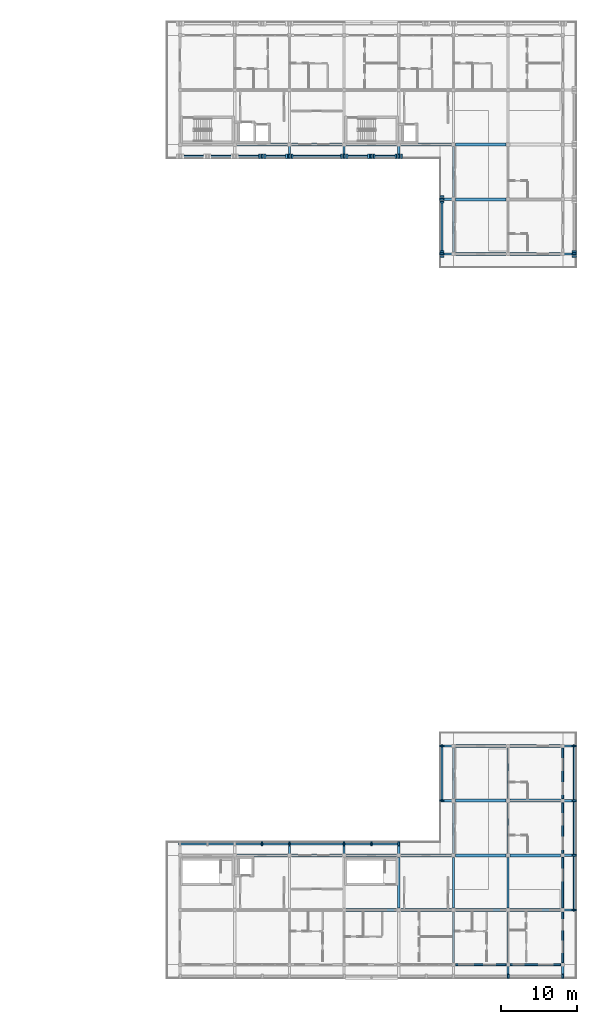
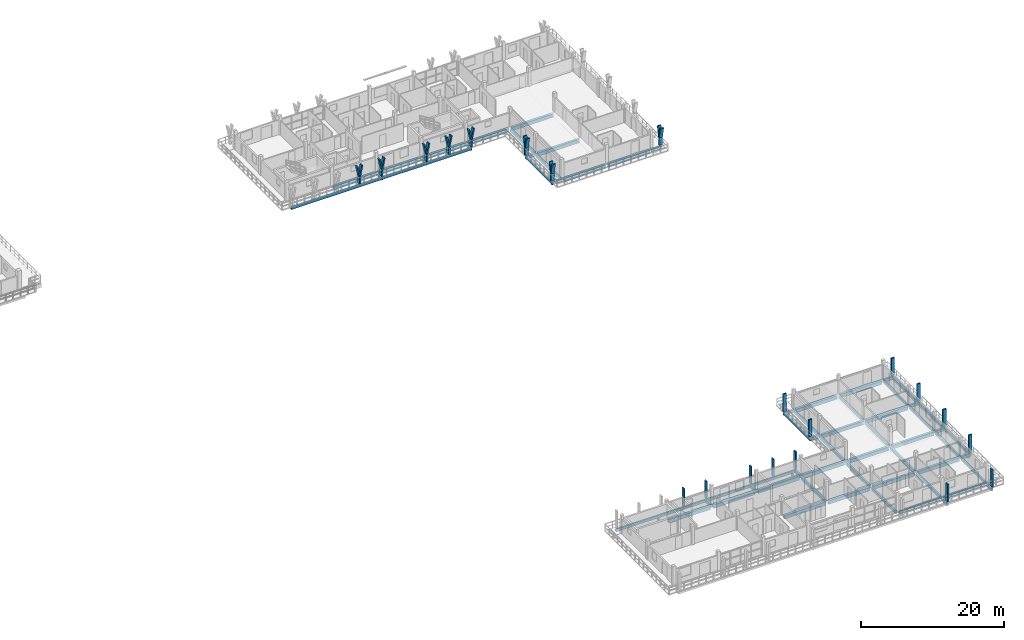
# One storey, part 21 of 56: 61 beams, 37 members.
"""IFC4 building model written with IfcOpenShell, lengths in metres."""

from ifc_helpers import new_model, si_unit, direction, frame, origin, origin_2d, place, context, subcontext, project, spatial, rectangle, extrude, material, material_profile, profile_set, type_object, element, save


model = new_model("IFC4")

# Units and contexts
model_context = context("Model", 3, precision=1e-05, world=origin(), true_north=direction((0.0, 1.0)))
body_context = subcontext(model_context, "Body", "Model", "MODEL_VIEW")
ifc_project = project(units=[si_unit("LENGTHUNIT", "METRE"), si_unit("AREAUNIT", "SQUARE_METRE"), si_unit("VOLUMEUNIT", "CUBIC_METRE"), si_unit("PLANEANGLEUNIT", "RADIAN"), si_unit("MASSUNIT", "GRAM", prefix="KILO")], contexts=[model_context])

# Site, building, storey
site_placement = place(None, origin())
site = spatial("IfcSite", under=ifc_project, at=site_placement, CompositionType="ELEMENT")
building_placement = place(site_placement, origin())
building = spatial("IfcBuilding", under=site, at=building_placement, Name="Suanplinth Sawtooth Commons", CompositionType="ELEMENT")
storey_placement = place(building_placement, frame((0.0, 0.0, 34.800048828125)))
storey = spatial("IfcBuildingStorey", under=building, at=storey_placement, Name="L10", CompositionType="ELEMENT", Elevation=34.800048828125)

# Beams
ifc_material_1 = material(Name="Precast concrete C40/50", Category="concrete")
ifc_material_profile_1 = material_profile(ifc_material_1, rectangle(XDim=0.39990234375, YDim=0.60009765625, at=origin_2d()), Name="PC-GDR 400x600")
ifc_profile_set_1 = profile_set([ifc_material_profile_1], Name="Precast concrete C40/50")
beam_type_1 = type_object("IfcBeamType", Name="B-05", PredefinedType="USERDEFINED", material=ifc_profile_set_1)
beam_1_placement = place(storey_placement, frame((144.27490234375, 108.0, -0.52001953125), z_axis=(1.0, 0.0, 0.0), x_axis=(0.0, 1.0, 0.0)))
element("IfcBeam", 1, at=beam_1_placement, inside=storey, type_object=beam_type_1, Name="BMX-L10-B-20-15", ObjectType="GIRDER", PredefinedType="USERDEFINED", context=body_context, shape_type="SweptSolid", body=[
    extrude(rectangle(XDim=0.39990234375, YDim=0.60009765625, at=origin_2d()), origin(), (0.0, 0.0, 1.0), 6.650146484375),
])
for number, where, z_axis, x_axis, name in (
    (2, (151.47509765625, 108.0, -0.52001953125), (1.0, 0.0, 0.0), (0.0, 1.0, 0.0), "BMX-L10-B-21-15"),
    (3, (158.675048828125, 108.0, -0.52001953125), (1.0, 0.0, 0.0), (0.0, 1.0, 0.0), "BMX-L10-B-22-15"),
    (4, (165.875, 108.0, -0.52001953125), (1.0, 0.0, 0.0), (0.0, 1.0, 0.0), "BMX-L10-B-23-15"),
):
    element("IfcBeam", number, at=place(storey_placement, frame(where, z_axis=z_axis, x_axis=x_axis)), inside=storey, type_object=beam_type_1, Name=name, ObjectType="GIRDER", PredefinedType="USERDEFINED", context=body_context, shape_type="SweptSolid", body=[
        extrude(rectangle(XDim=0.39990234375, YDim=0.60009765625, at=origin_2d()), origin(), (0.0, 0.0, 1.0), 6.64990234375),
    ])
for number, where, z_axis, x_axis, name in (
    (5, (173.074951171875, 93.60009765625, -0.52001953125), (1.0, 0.0, 0.0), (0.0, 1.0, 0.0), "BMX-L10-B-24-13"),
    (6, (173.074951171875, 100.800048828125, -0.52001953125), (1.0, 0.0, 0.0), (0.0, 1.0, 0.0), "BMX-L10-B-24-14"),
    (7, (173.074951171875, 108.0, -0.52001953125), (1.0, 0.0, 0.0), (0.0, 1.0, 0.0), "BMX-L10-B-24-15"),
    (8, (180.27490234375, 93.60009765625, -0.52001953125), (1.0, 0.0, 0.0), (0.0, 1.0, 0.0), "BMX-L10-B-25-13"),
    (9, (144.27490234375, 14.39990234375, -0.52001953125), (1.0, 0.0, 0.0), (0.0, 1.0, 0.0), "BMX-L10-C-20-2"),
):
    element("IfcBeam", number, at=place(storey_placement, frame(where, z_axis=z_axis, x_axis=x_axis)), inside=storey, type_object=beam_type_1, Name=name, ObjectType="GIRDER", PredefinedType="USERDEFINED", context=body_context, shape_type="SweptSolid", body=[
        extrude(rectangle(XDim=0.39990234375, YDim=0.60009765625, at=origin_2d()), origin(), (0.0, 0.0, 1.0), 6.650146484375),
    ])
for number, where, z_axis, x_axis, name in (
    (10, (151.47509765625, 14.39990234375, -0.52001953125), (1.0, 0.0, 0.0), (0.0, 1.0, 0.0), "BMX-L10-C-21-2"),
    (11, (158.675048828125, 7.199951171875, -0.52001953125), (1.0, 0.0, 0.0), (0.0, 1.0, 0.0), "BMX-L10-C-22-1"),
    (12, (158.675048828125, 14.39990234375, -0.52001953125), (1.0, 0.0, 0.0), (0.0, 1.0, 0.0), "BMX-L10-C-22-2"),
    (13, (165.875, 7.199951171875, -0.52001953125), (1.0, 0.0, 0.0), (0.0, 1.0, 0.0), "BMX-L10-C-23-1"),
    (14, (165.875, 14.39990234375, -0.52001953125), (1.0, 0.0, 0.0), (0.0, 1.0, 0.0), "BMX-L10-C-23-2"),
):
    element("IfcBeam", number, at=place(storey_placement, frame(where, z_axis=z_axis, x_axis=x_axis)), inside=storey, type_object=beam_type_1, Name=name, ObjectType="GIRDER", PredefinedType="USERDEFINED", context=body_context, shape_type="SweptSolid", body=[
        extrude(rectangle(XDim=0.39990234375, YDim=0.60009765625, at=origin_2d()), origin(), (0.0, 0.0, 1.0), 6.64990234375),
    ])
for number, where, z_axis, x_axis, name in (
    (15, (173.074951171875, 7.199951171875, -0.52001953125), (1.0, 0.0, 0.0), (0.0, 1.0, 0.0), "BMX-L10-C-24-1"),
    (16, (173.074951171875, 14.39990234375, -0.52001953125), (1.0, 0.0, 0.0), (0.0, 1.0, 0.0), "BMX-L10-C-24-2"),
    (17, (173.074951171875, 21.60009765625, -0.52001953125), (1.0, 0.0, 0.0), (0.0, 1.0, 0.0), "BMX-L10-C-24-3"),
    (18, (173.074951171875, 28.800048828125, -0.52001953125), (1.0, 0.0, 0.0), (0.0, 1.0, 0.0), "BMX-L10-C-24-4"),
    (19, (180.27490234375, 7.199951171875, -0.52001953125), (1.0, 0.0, 0.0), (0.0, 1.0, 0.0), "BMX-L10-C-25-1"),
    (20, (180.27490234375, 14.39990234375, -0.52001953125), (1.0, 0.0, 0.0), (0.0, 1.0, 0.0), "BMX-L10-C-25-2"),
    (21, (180.27490234375, 21.60009765625, -0.52001953125), (1.0, 0.0, 0.0), (0.0, 1.0, 0.0), "BMX-L10-C-25-3"),
    (22, (180.27490234375, 28.800048828125, -0.52001953125), (1.0, 0.0, 0.0), (0.0, 1.0, 0.0), "BMX-L10-C-25-4"),
):
    element("IfcBeam", number, at=place(storey_placement, frame(where, z_axis=z_axis, x_axis=x_axis)), inside=storey, type_object=beam_type_1, Name=name, ObjectType="GIRDER", PredefinedType="USERDEFINED", context=body_context, shape_type="SweptSolid", body=[
        extrude(rectangle(XDim=0.39990234375, YDim=0.60009765625, at=origin_2d()), origin(), (0.0, 0.0, 1.0), 6.650146484375),
    ])
ifc_material_profile_2 = material_profile(ifc_material_1, rectangle(XDim=0.300048828125, YDim=0.5, at=origin_2d()), Name="PC-BM 300x500")
ifc_profile_set_2 = profile_set([ifc_material_profile_2], Name="Precast concrete C40/50")
beam_type_2 = type_object("IfcBeamType", Name="B-07", PredefinedType="BEAM", material=ifc_profile_set_2)
beam_2_placement = place(storey_placement, frame((172.800048828125, 93.875, -0.469970703125), z_axis=(0.0, 1.0, 0.0), x_axis=(-1.0, 0.0, 0.0)))
element("IfcBeam", 23, at=beam_2_placement, inside=storey, type_object=beam_type_2, Name="BMY-L10-B-24-13", PredefinedType="BEAM", context=body_context, shape_type="SweptSolid", body=[
    extrude(rectangle(XDim=0.300048828125, YDim=0.5, at=origin_2d()), origin(), (0.0, 0.0, 1.0), 6.64990234375),
])
beam_3_placement = place(storey_placement, frame((172.800048828125, 101.074951171875, -0.469970703125), z_axis=(0.0, 1.0, 0.0), x_axis=(-1.0, 0.0, 0.0)))
element("IfcBeam", 24, at=beam_3_placement, inside=storey, type_object=beam_type_2, Name="BMY-L10-B-24-14", PredefinedType="BEAM", context=body_context, shape_type="SweptSolid", body=[
    extrude(rectangle(XDim=0.300048828125, YDim=0.5, at=origin_2d()), origin(), (0.0, 0.0, 1.0), 6.650146484375),
])
beam_4_placement = place(storey_placement, frame((165.60009765625, 7.47509765625, -0.469970703125), z_axis=(0.0, 1.0, 0.0), x_axis=(-1.0, 0.0, 0.0)))
element("IfcBeam", 25, at=beam_4_placement, inside=storey, type_object=beam_type_2, Name="BMY-L10-C-23-1", PredefinedType="BEAM", context=body_context, shape_type="SweptSolid", body=[
    extrude(rectangle(XDim=0.300048828125, YDim=0.5, at=origin_2d()), origin(), (0.0, 0.0, 1.0), 6.64990234375),
])
beam_5_placement = place(storey_placement, frame((172.800048828125, 0.27490234375, -0.469970703125), z_axis=(0.0, 1.0, 0.0), x_axis=(-1.0, 0.0, 0.0)))
element("IfcBeam", 26, at=beam_5_placement, inside=storey, type_object=beam_type_2, Name="BMY-L10-C-24-0", PredefinedType="BEAM", context=body_context, shape_type="SweptSolid", body=[
    extrude(rectangle(XDim=0.300048828125, YDim=0.5, at=origin_2d()), origin(), (0.0, 0.0, 1.0), 6.650146484375),
])
for number, where, z_axis, x_axis, name in (
    (27, (172.800048828125, 7.47509765625, -0.469970703125), (0.0, 1.0, 0.0), (-1.0, 0.0, 0.0), "BMY-L10-C-24-1"),
    (28, (172.800048828125, 14.675048828125, -0.469970703125), (0.0, 1.0, 0.0), (-1.0, 0.0, 0.0), "BMY-L10-C-24-2"),
    (29, (172.800048828125, 21.875, -0.469970703125), (0.0, 1.0, 0.0), (-1.0, 0.0, 0.0), "BMY-L10-C-24-3"),
):
    element("IfcBeam", number, at=place(storey_placement, frame(where, z_axis=z_axis, x_axis=x_axis)), inside=storey, type_object=beam_type_2, Name=name, PredefinedType="BEAM", context=body_context, shape_type="SweptSolid", body=[
        extrude(rectangle(XDim=0.300048828125, YDim=0.5, at=origin_2d()), origin(), (0.0, 0.0, 1.0), 6.64990234375),
    ])
beam_6_placement = place(storey_placement, frame((180.0, 0.27490234375, -0.469970703125), z_axis=(0.0, 1.0, 0.0), x_axis=(-1.0, 0.0, 0.0)))
element("IfcBeam", 30, at=beam_6_placement, inside=storey, type_object=beam_type_2, Name="BMY-L10-C-25-0", PredefinedType="BEAM", context=body_context, shape_type="SweptSolid", body=[
    extrude(rectangle(XDim=0.300048828125, YDim=0.5, at=origin_2d()), origin(), (0.0, 0.0, 1.0), 6.650146484375),
])
for number, where, z_axis, x_axis, name in (
    (31, (180.0, 7.47509765625, -0.469970703125), (0.0, 1.0, 0.0), (-1.0, 0.0, 0.0), "BMY-L10-C-25-1"),
    (32, (180.0, 14.675048828125, -0.469970703125), (0.0, 1.0, 0.0), (-1.0, 0.0, 0.0), "BMY-L10-C-25-2"),
    (33, (180.0, 21.875, -0.469970703125), (0.0, 1.0, 0.0), (-1.0, 0.0, 0.0), "BMY-L10-C-25-3"),
):
    element("IfcBeam", number, at=place(storey_placement, frame(where, z_axis=z_axis, x_axis=x_axis)), inside=storey, type_object=beam_type_2, Name=name, PredefinedType="BEAM", context=body_context, shape_type="SweptSolid", body=[
        extrude(rectangle(XDim=0.300048828125, YDim=0.5, at=origin_2d()), origin(), (0.0, 0.0, 1.0), 6.64990234375),
    ])
beam_7_placement = place(storey_placement, frame((187.199951171875, 93.60009765625, -0.429931640625), z_axis=(1.0, 0.0, 0.0), x_axis=(0.0, 1.0, 0.0)))
element("IfcBeam", 34, at=beam_7_placement, inside=storey, type_object=beam_type_2, Name="Balcony Outrigger L10-B-E-13", PredefinedType="BEAM", context=body_context, shape_type="SweptSolid", body=[
    extrude(rectangle(XDim=0.300048828125, YDim=0.5, at=origin_2d()), origin(), (0.0, 0.0, 1.0), 1.64013671875),
])
for number, where, z_axis, x_axis, name in (
    (35, (151.199951171875, 108.0, -0.425048828125), (0.0, -1.0, 0.0), (1.0, 0.0, 0.0), "Balcony Outrigger L10-B-SC-21"),
    (36, (158.39990234375, 108.0, -0.425048828125), (0.0, -1.0, 0.0), (1.0, 0.0, 0.0), "Balcony Outrigger L10-B-SC-22"),
    (37, (165.60009765625, 108.0, -0.425048828125), (0.0, -1.0, 0.0), (1.0, 0.0, 0.0), "Balcony Outrigger L10-B-SC-23"),
):
    element("IfcBeam", number, at=place(storey_placement, frame(where, z_axis=z_axis, x_axis=x_axis)), inside=storey, type_object=beam_type_2, Name=name, PredefinedType="BEAM", context=body_context, shape_type="SweptSolid", body=[
        extrude(rectangle(XDim=0.300048828125, YDim=0.5, at=origin_2d()), origin(), (0.0, 0.0, 1.0), 1.639892578125),
    ])
for number, where, z_axis, x_axis, name in (
    (38, (172.800048828125, 93.60009765625, -0.425048828125), (-1.0, 0.0, 0.0), (0.0, -1.0, 0.0), "Balcony Outrigger L10-B-WC-13"),
    (39, (172.800048828125, 100.800048828125, -0.425048828125), (-1.0, 0.0, 0.0), (0.0, -1.0, 0.0), "Balcony Outrigger L10-B-WC-14"),
):
    element("IfcBeam", number, at=place(storey_placement, frame(where, z_axis=z_axis, x_axis=x_axis)), inside=storey, type_object=beam_type_2, Name=name, PredefinedType="BEAM", context=body_context, shape_type="SweptSolid", body=[
        extrude(rectangle(XDim=0.300048828125, YDim=0.5, at=origin_2d()), origin(), (0.0, 0.0, 1.0), 1.64013671875),
    ])
for number, where, z_axis, x_axis, name in (
    (40, (180.0, 0.0, -0.429931640625), (0.0, -1.0, 0.0), (1.0, 0.0, 0.0), "Balcony Outrigger L10-C-S-25"),
    (41, (187.199951171875, 0.0, -0.429931640625), (0.0, -1.0, 0.0), (1.0, 0.0, 0.0), "Balcony Outrigger L10-C-S-26"),
):
    element("IfcBeam", number, at=place(storey_placement, frame(where, z_axis=z_axis, x_axis=x_axis)), inside=storey, type_object=beam_type_2, Name=name, PredefinedType="BEAM", context=body_context, shape_type="SweptSolid", body=[
        extrude(rectangle(XDim=0.300048828125, YDim=0.5, at=origin_2d()), origin(), (0.0, 0.0, 1.0), 1.639892578125),
    ])
for number, where, z_axis, x_axis, name in (
    (42, (187.199951171875, 7.199951171875, -0.429931640625), (1.0, 0.0, 0.0), (0.0, 1.0, 0.0), "Balcony Outrigger L10-C-E-1"),
    (43, (187.199951171875, 14.39990234375, -0.429931640625), (1.0, 0.0, 0.0), (0.0, 1.0, 0.0), "Balcony Outrigger L10-C-E-2"),
    (44, (187.199951171875, 21.60009765625, -0.429931640625), (1.0, 0.0, 0.0), (0.0, 1.0, 0.0), "Balcony Outrigger L10-C-E-3"),
    (45, (187.199951171875, 28.800048828125, -0.429931640625), (1.0, 0.0, 0.0), (0.0, 1.0, 0.0), "Balcony Outrigger L10-C-E-4"),
    (46, (151.199951171875, 14.39990234375, -0.425048828125), (0.0, 1.0, 0.0), (-1.0, 0.0, 0.0), "Balcony Outrigger L10-C-NC-21"),
    (47, (158.39990234375, 14.39990234375, -0.425048828125), (0.0, 1.0, 0.0), (-1.0, 0.0, 0.0), "Balcony Outrigger L10-C-NC-22"),
    (48, (165.60009765625, 14.39990234375, -0.425048828125), (0.0, 1.0, 0.0), (-1.0, 0.0, 0.0), "Balcony Outrigger L10-C-NC-23"),
    (49, (172.800048828125, 21.60009765625, -0.425048828125), (-1.0, 0.0, 0.0), (0.0, -1.0, 0.0), "Balcony Outrigger L10-C-WC-3"),
    (50, (172.800048828125, 28.800048828125, -0.425048828125), (-1.0, 0.0, 0.0), (0.0, -1.0, 0.0), "Balcony Outrigger L10-C-WC-4"),
):
    element("IfcBeam", number, at=place(storey_placement, frame(where, z_axis=z_axis, x_axis=x_axis)), inside=storey, type_object=beam_type_2, Name=name, PredefinedType="BEAM", context=body_context, shape_type="SweptSolid", body=[
        extrude(rectangle(XDim=0.300048828125, YDim=0.5, at=origin_2d()), origin(), (0.0, 0.0, 1.0), 1.64013671875),
    ])
ifc_material_profile_3 = material_profile(ifc_material_1, rectangle(XDim=0.25, YDim=0.449951171875, at=origin_2d()), Name="PC-SP 250x450")
ifc_profile_set_3 = profile_set([ifc_material_profile_3], Name="Precast concrete C40/50")
beam_type_3 = type_object("IfcBeamType", Name="B-09", PredefinedType="SPANDREL", material=ifc_profile_set_3)
for number, where, z_axis, x_axis, name in (
    (51, (173.074951171875, 0.0, -0.445068359375), (1.0, 0.0, 0.0), (0.0, 1.0, 0.0), "BMX-L10-C-24-0"),
    (52, (180.27490234375, 0.0, -0.445068359375), (1.0, 0.0, 0.0), (0.0, 1.0, 0.0), "BMX-L10-C-25-0"),
    (53, (187.199951171875, 0.27490234375, -0.445068359375), (0.0, 1.0, 0.0), (-1.0, 0.0, 0.0), "BMY-L10-C-26-0"),
):
    element("IfcBeam", number, at=place(storey_placement, frame(where, z_axis=z_axis, x_axis=x_axis)), inside=storey, type_object=beam_type_3, Name=name, PredefinedType="SPANDREL", context=body_context, shape_type="SweptSolid", body=[
        extrude(rectangle(XDim=0.25, YDim=0.449951171875, at=origin_2d()), origin(), (0.0, 0.0, 1.0), 6.650146484375),
    ])
for number, where, z_axis, x_axis, name in (
    (54, (187.199951171875, 7.47509765625, -0.445068359375), (0.0, 1.0, 0.0), (-1.0, 0.0, 0.0), "BMY-L10-C-26-1"),
    (55, (187.199951171875, 14.675048828125, -0.445068359375), (0.0, 1.0, 0.0), (-1.0, 0.0, 0.0), "BMY-L10-C-26-2"),
    (56, (187.199951171875, 21.875, -0.445068359375), (0.0, 1.0, 0.0), (-1.0, 0.0, 0.0), "BMY-L10-C-26-3"),
):
    element("IfcBeam", number, at=place(storey_placement, frame(where, z_axis=z_axis, x_axis=x_axis)), inside=storey, type_object=beam_type_3, Name=name, PredefinedType="SPANDREL", context=body_context, shape_type="SweptSolid", body=[
        extrude(rectangle(XDim=0.25, YDim=0.449951171875, at=origin_2d()), origin(), (0.0, 0.0, 1.0), 6.64990234375),
    ])
beam_8_placement = place(storey_placement, frame((136.64990234375, 106.47998046875, -0.400146484375), z_axis=(1.0, 0.0, 0.0), x_axis=(0.0, 1.0, 0.0)))
element("IfcBeam", 57, at=beam_8_placement, inside=storey, type_object=beam_type_3, Name="Balcony Edge Fascia L10-B-SC", PredefinedType="SPANDREL", context=body_context, shape_type="SweptSolid", body=[
    extrude(rectangle(XDim=0.25, YDim=0.449951171875, at=origin_2d()), origin(), (0.0, 0.0, 1.0), 29.10009765625),
])
beam_9_placement = place(storey_placement, frame((171.280029296875, 93.449951171875, -0.400146484375), z_axis=(0.0, 1.0, 0.0), x_axis=(-1.0, 0.0, 0.0)))
element("IfcBeam", 58, at=beam_9_placement, inside=storey, type_object=beam_type_3, Name="Balcony Edge Fascia L10-B-WC", PredefinedType="SPANDREL", context=body_context, shape_type="SweptSolid", body=[
    extrude(rectangle(XDim=0.25, YDim=0.449951171875, at=origin_2d()), origin(), (0.0, 0.0, 1.0), 7.5),
])
beam_10_placement = place(storey_placement, frame((188.719970703125, 7.050048828125, -0.405029296875), z_axis=(0.0, 1.0, 0.0), x_axis=(-1.0, 0.0, 0.0)))
element("IfcBeam", 59, at=beam_10_placement, inside=storey, type_object=beam_type_3, Name="Balcony Edge Fascia L10-C-E", PredefinedType="SPANDREL", context=body_context, shape_type="SweptSolid", body=[
    extrude(rectangle(XDim=0.25, YDim=0.449951171875, at=origin_2d()), origin(), (0.0, 0.0, 1.0), 21.89990234375),
])
beam_11_placement = place(storey_placement, frame((136.64990234375, 15.919921875, -0.400146484375), z_axis=(1.0, 0.0, 0.0), x_axis=(0.0, 1.0, 0.0)))
element("IfcBeam", 60, at=beam_11_placement, inside=storey, type_object=beam_type_3, Name="Balcony Edge Fascia L10-C-NC", PredefinedType="SPANDREL", context=body_context, shape_type="SweptSolid", body=[
    extrude(rectangle(XDim=0.25, YDim=0.449951171875, at=origin_2d()), origin(), (0.0, 0.0, 1.0), 29.10009765625),
])
beam_12_placement = place(storey_placement, frame((171.280029296875, 21.449951171875, -0.400146484375), z_axis=(0.0, 1.0, 0.0), x_axis=(-1.0, 0.0, 0.0)))
element("IfcBeam", 61, at=beam_12_placement, inside=storey, type_object=beam_type_3, Name="Balcony Edge Fascia L10-C-WC", PredefinedType="SPANDREL", context=body_context, shape_type="SweptSolid", body=[
    extrude(rectangle(XDim=0.25, YDim=0.449951171875, at=origin_2d()), origin(), (0.0, 0.0, 1.0), 7.5),
])

# Members
ifc_material_2 = material(Name="Pigmented precast concrete C40/50", Category="concrete")
ifc_material_profile_4 = material_profile(ifc_material_2, rectangle(XDim=0.260009765625, YDim=0.550048828125, at=origin_2d()), Name="PC-FIN 260x550")
ifc_profile_set_4 = profile_set([ifc_material_profile_4], Name="Pigmented precast concrete C40/50")
member_type_1 = type_object("IfcMemberType", Name="M-09", PredefinedType="USERDEFINED", material=ifc_profile_set_4)
for number, where, z_axis, x_axis, name in (
    (62, (188.719970703125, 93.60009765625, 0.0), (0.0, 0.0, 1.0), (0.0, 1.0, 0.0), "Y-Blade Stem L10-B-E-09"),
    (63, (147.60009765625, 106.47998046875, 0.0), (0.0, 0.0, 1.0), (1.0, 0.0, 0.0), "Y-Blade Stem L10-B-SC-16"),
    (64, (151.199951171875, 106.47998046875, 0.0), (0.0, 0.0, 1.0), (1.0, 0.0, 0.0), "Y-Blade Stem L10-B-SC-17"),
    (65, (158.39990234375, 106.47998046875, 0.0), (0.0, 0.0, 1.0), (1.0, 0.0, 0.0), "Y-Blade Stem L10-B-SC-18"),
    (66, (162.0, 106.47998046875, 0.0), (0.0, 0.0, 1.0), (1.0, 0.0, 0.0), "Y-Blade Stem L10-B-SC-19"),
    (67, (165.60009765625, 106.47998046875, 0.0), (0.0, 0.0, 1.0), (1.0, 0.0, 0.0), "Y-Blade Stem L10-B-SC-20"),
    (68, (171.280029296875, 93.60009765625, 0.0), (0.0, 0.0, 1.0), (0.0, 1.0, 0.0), "Y-Blade Stem L10-B-WC-21"),
    (69, (171.280029296875, 100.800048828125, 0.0), (0.0, 0.0, 1.0), (0.0, 1.0, 0.0), "Y-Blade Stem L10-B-WC-22"),
):
    element("IfcMember", number, at=place(storey_placement, frame(where, z_axis=z_axis, x_axis=x_axis)), inside=storey, type_object=member_type_1, Name=name, ObjectType="SHADING FIN", PredefinedType="USERDEFINED", context=body_context, shape_type="SweptSolid", body=[
        extrude(rectangle(XDim=0.260009765625, YDim=0.550048828125, at=origin_2d()), origin(), (0.0, 0.0, 1.0), 1.169921875),
    ])
ifc_material_profile_5 = material_profile(ifc_material_2, rectangle(XDim=0.219970703125, YDim=0.550048828125, at=origin_2d()), Name="PC-FIN 220x550")
ifc_profile_set_5 = profile_set([ifc_material_profile_5], Name="Pigmented precast concrete C40/50")
member_type_2 = type_object("IfcMemberType", Name="M-10", PredefinedType="USERDEFINED", material=ifc_profile_set_5)
member_1_placement = place(storey_placement, frame((188.719970703125, 93.60009765625, 1.1298828125), z_axis=(0.0, -0.196406855569, 0.980522486782), x_axis=(0.0, 0.980522486782, 0.196406855569)))
element("IfcMember", 70, at=member_1_placement, inside=storey, type_object=member_type_2, Name="Y-Blade Arm L L10-B-E-09", ObjectType="SHADING FIN", PredefinedType="USERDEFINED", context=body_context, shape_type="SweptSolid", body=[
    extrude(rectangle(XDim=0.219970703125, YDim=0.550048828125, at=origin_2d()), origin(), (0.0, 0.0, 1.0), 1.93798828125),
])
member_2_placement = place(storey_placement, frame((188.719970703125, 93.60009765625, 1.1298828125), z_axis=(0.0, 0.196285728346, 0.980546741796), x_axis=(0.0, -0.980546741796, 0.196285728346)))
element("IfcMember", 71, at=member_2_placement, inside=storey, type_object=member_type_2, Name="Y-Blade Arm R L10-B-E-09", ObjectType="SHADING FIN", PredefinedType="USERDEFINED", context=body_context, shape_type="SweptSolid", body=[
    extrude(rectangle(XDim=0.219970703125, YDim=0.550048828125, at=origin_2d()), origin(), (0.0, 0.0, 1.0), 1.937744140625),
])
member_3_placement = place(storey_placement, frame((147.60009765625, 106.47998046875, 1.1298828125), z_axis=(-0.196406855569, 0.0, 0.980522486782), x_axis=(0.980522486782, 0.0, 0.196406855569)))
element("IfcMember", 72, at=member_3_placement, inside=storey, type_object=member_type_2, Name="Y-Blade Arm L L10-B-SC-16", ObjectType="SHADING FIN", PredefinedType="USERDEFINED", context=body_context, shape_type="SweptSolid", body=[
    extrude(rectangle(XDim=0.219970703125, YDim=0.550048828125, at=origin_2d()), origin(), (0.0, 0.0, 1.0), 1.93798828125),
])
for number, where, z_axis, x_axis, name in (
    (73, (147.60009765625, 106.47998046875, 1.1298828125), (0.196285728346, 0.0, 0.980546741796), (-0.980546741796, 0.0, 0.196285728346), "Y-Blade Arm R L10-B-SC-16"),
    (74, (151.199951171875, 106.47998046875, 1.1298828125), (-0.196285728346, 0.0, 0.980546741796), (0.980546741796, 0.0, 0.196285728346), "Y-Blade Arm L L10-B-SC-17"),
):
    element("IfcMember", number, at=place(storey_placement, frame(where, z_axis=z_axis, x_axis=x_axis)), inside=storey, type_object=member_type_2, Name=name, ObjectType="SHADING FIN", PredefinedType="USERDEFINED", context=body_context, shape_type="SweptSolid", body=[
        extrude(rectangle(XDim=0.219970703125, YDim=0.550048828125, at=origin_2d()), origin(), (0.0, 0.0, 1.0), 1.937744140625),
    ])
member_4_placement = place(storey_placement, frame((151.199951171875, 106.47998046875, 1.1298828125), z_axis=(0.196406855569, 0.0, 0.980522486782), x_axis=(-0.980522486782, 0.0, 0.196406855569)))
element("IfcMember", 75, at=member_4_placement, inside=storey, type_object=member_type_2, Name="Y-Blade Arm R L10-B-SC-17", ObjectType="SHADING FIN", PredefinedType="USERDEFINED", context=body_context, shape_type="SweptSolid", body=[
    extrude(rectangle(XDim=0.219970703125, YDim=0.550048828125, at=origin_2d()), origin(), (0.0, 0.0, 1.0), 1.93798828125),
])
member_5_placement = place(storey_placement, frame((158.39990234375, 106.47998046875, 1.1298828125), z_axis=(-0.196285728346, 0.0, 0.980546741796), x_axis=(0.980546741796, 0.0, 0.196285728346)))
element("IfcMember", 76, at=member_5_placement, inside=storey, type_object=member_type_2, Name="Y-Blade Arm L L10-B-SC-18", ObjectType="SHADING FIN", PredefinedType="USERDEFINED", context=body_context, shape_type="SweptSolid", body=[
    extrude(rectangle(XDim=0.219970703125, YDim=0.550048828125, at=origin_2d()), origin(), (0.0, 0.0, 1.0), 1.937744140625),
])
for number, where, z_axis, x_axis, name in (
    (77, (158.39990234375, 106.47998046875, 1.1298828125), (0.196406855569, 0.0, 0.980522486782), (-0.980522486782, 0.0, 0.196406855569), "Y-Blade Arm R L10-B-SC-18"),
    (78, (162.0, 106.47998046875, 1.1298828125), (-0.196406855569, 0.0, 0.980522486782), (0.980522486782, 0.0, 0.196406855569), "Y-Blade Arm L L10-B-SC-19"),
    (79, (162.0, 106.47998046875, 1.1298828125), (0.196406855569, 0.0, 0.980522486782), (-0.980522486782, 0.0, 0.196406855569), "Y-Blade Arm R L10-B-SC-19"),
    (80, (165.60009765625, 106.47998046875, 1.1298828125), (-0.196406855569, 0.0, 0.980522486782), (0.980522486782, 0.0, 0.196406855569), "Y-Blade Arm L L10-B-SC-20"),
):
    element("IfcMember", number, at=place(storey_placement, frame(where, z_axis=z_axis, x_axis=x_axis)), inside=storey, type_object=member_type_2, Name=name, ObjectType="SHADING FIN", PredefinedType="USERDEFINED", context=body_context, shape_type="SweptSolid", body=[
        extrude(rectangle(XDim=0.219970703125, YDim=0.550048828125, at=origin_2d()), origin(), (0.0, 0.0, 1.0), 1.93798828125),
    ])
member_6_placement = place(storey_placement, frame((165.60009765625, 106.47998046875, 1.1298828125), z_axis=(0.196285728346, 0.0, 0.980546741796), x_axis=(-0.980546741796, 0.0, 0.196285728346)))
element("IfcMember", 81, at=member_6_placement, inside=storey, type_object=member_type_2, Name="Y-Blade Arm R L10-B-SC-20", ObjectType="SHADING FIN", PredefinedType="USERDEFINED", context=body_context, shape_type="SweptSolid", body=[
    extrude(rectangle(XDim=0.219970703125, YDim=0.550048828125, at=origin_2d()), origin(), (0.0, 0.0, 1.0), 1.937744140625),
])
member_7_placement = place(storey_placement, frame((171.280029296875, 93.60009765625, 1.1298828125), z_axis=(0.0, -0.196406855569, 0.980522486782), x_axis=(0.0, 0.980522486782, 0.196406855569)))
element("IfcMember", 82, at=member_7_placement, inside=storey, type_object=member_type_2, Name="Y-Blade Arm L L10-B-WC-21", ObjectType="SHADING FIN", PredefinedType="USERDEFINED", context=body_context, shape_type="SweptSolid", body=[
    extrude(rectangle(XDim=0.219970703125, YDim=0.550048828125, at=origin_2d()), origin(), (0.0, 0.0, 1.0), 1.93798828125),
])
member_8_placement = place(storey_placement, frame((171.280029296875, 93.60009765625, 1.1298828125), z_axis=(0.0, 0.196285728346, 0.980546741796), x_axis=(0.0, -0.980546741796, 0.196285728346)))
element("IfcMember", 83, at=member_8_placement, inside=storey, type_object=member_type_2, Name="Y-Blade Arm R L10-B-WC-21", ObjectType="SHADING FIN", PredefinedType="USERDEFINED", context=body_context, shape_type="SweptSolid", body=[
    extrude(rectangle(XDim=0.219970703125, YDim=0.550048828125, at=origin_2d()), origin(), (0.0, 0.0, 1.0), 1.937744140625),
])
member_9_placement = place(storey_placement, frame((171.280029296875, 100.800048828125, 1.1298828125), z_axis=(0.0, -0.196406855569, 0.980522486782), x_axis=(0.0, 0.980522486782, 0.196406855569)))
element("IfcMember", 84, at=member_9_placement, inside=storey, type_object=member_type_2, Name="Y-Blade Arm L L10-B-WC-22", ObjectType="SHADING FIN", PredefinedType="USERDEFINED", context=body_context, shape_type="SweptSolid", body=[
    extrude(rectangle(XDim=0.219970703125, YDim=0.550048828125, at=origin_2d()), origin(), (0.0, 0.0, 1.0), 1.93798828125),
])
member_10_placement = place(storey_placement, frame((171.280029296875, 100.800048828125, 1.1298828125), z_axis=(0.0, 0.196285728346, 0.980546741796), x_axis=(0.0, -0.980546741796, 0.196285728346)))
element("IfcMember", 85, at=member_10_placement, inside=storey, type_object=member_type_2, Name="Y-Blade Arm R L10-B-WC-22", ObjectType="SHADING FIN", PredefinedType="USERDEFINED", context=body_context, shape_type="SweptSolid", body=[
    extrude(rectangle(XDim=0.219970703125, YDim=0.550048828125, at=origin_2d()), origin(), (0.0, 0.0, 1.0), 1.937744140625),
])
ifc_material_profile_6 = material_profile(ifc_material_2, rectangle(XDim=0.25, YDim=0.5400390625, at=origin_2d()), Name="PC-FIN 250x540")
ifc_profile_set_6 = profile_set([ifc_material_profile_6], Name="Pigmented precast concrete C40/50")
member_type_3 = type_object("IfcMemberType", Name="M-11", PredefinedType="USERDEFINED", material=ifc_profile_set_6)
for number, where, z_axis, x_axis, name in (
    (86, (180.0, -1.52001953125, 0.0), (0.0, 0.0, 1.0), (1.0, 0.0, 0.0), "Upright Solar Blade L10-C-S-08"),
    (87, (187.199951171875, -1.52001953125, 0.0), (0.0, 0.0, 1.0), (1.0, 0.0, 0.0), "Upright Solar Blade L10-C-S-09"),
    (88, (188.719970703125, 7.199951171875, 0.0), (0.0, 0.0, 1.0), (0.0, 1.0, 0.0), "Upright Solar Blade L10-C-E-10"),
    (89, (188.719970703125, 14.39990234375, 0.0), (0.0, 0.0, 1.0), (0.0, 1.0, 0.0), "Upright Solar Blade L10-C-E-11"),
    (90, (188.719970703125, 21.60009765625, 0.0), (0.0, 0.0, 1.0), (0.0, 1.0, 0.0), "Upright Solar Blade L10-C-E-12"),
    (91, (188.719970703125, 28.800048828125, 0.0), (0.0, 0.0, 1.0), (0.0, 1.0, 0.0), "Upright Solar Blade L10-C-E-13"),
):
    element("IfcMember", number, at=place(storey_placement, frame(where, z_axis=z_axis, x_axis=x_axis)), inside=storey, type_object=member_type_3, Name=name, ObjectType="SHADING FIN", PredefinedType="USERDEFINED", context=body_context, shape_type="SweptSolid", body=[
        extrude(rectangle(XDim=0.25, YDim=0.5400390625, at=origin_2d()), origin(), (0.0, 0.0, 1.0), 2.969970703125),
    ])
ifc_material_profile_7 = material_profile(ifc_material_2, rectangle(XDim=0.2099609375, YDim=0.52001953125, at=origin_2d()), Name="PC-FIN 210x520")
ifc_profile_set_7 = profile_set([ifc_material_profile_7], Name="Pigmented precast concrete C40/50")
member_type_4 = type_object("IfcMemberType", Name="M-12", PredefinedType="USERDEFINED", material=ifc_profile_set_7)
for number, where, z_axis, x_axis, name in (
    (92, (147.60009765625, 15.919921875, 0.0), (0.0, 0.0, 1.0), (1.0, 0.0, 0.0), "Upright Solar Blade L10-C-NC-17"),
    (93, (151.199951171875, 15.919921875, 0.0), (0.0, 0.0, 1.0), (1.0, 0.0, 0.0), "Upright Solar Blade L10-C-NC-18"),
    (94, (158.39990234375, 15.919921875, 0.0), (0.0, 0.0, 1.0), (1.0, 0.0, 0.0), "Upright Solar Blade L10-C-NC-19"),
    (95, (162.0, 15.919921875, 0.0), (0.0, 0.0, 1.0), (1.0, 0.0, 0.0), "Upright Solar Blade L10-C-NC-20"),
    (96, (165.60009765625, 15.919921875, 0.0), (0.0, 0.0, 1.0), (1.0, 0.0, 0.0), "Upright Solar Blade L10-C-NC-21"),
    (97, (171.280029296875, 21.60009765625, 0.0), (0.0, 0.0, 1.0), (0.0, 1.0, 0.0), "Upright Solar Blade L10-C-WC-22"),
    (98, (171.280029296875, 28.800048828125, 0.0), (0.0, 0.0, 1.0), (0.0, 1.0, 0.0), "Upright Solar Blade L10-C-WC-23"),
):
    element("IfcMember", number, at=place(storey_placement, frame(where, z_axis=z_axis, x_axis=x_axis)), inside=storey, type_object=member_type_4, Name=name, ObjectType="SHADING FIN", PredefinedType="USERDEFINED", context=body_context, shape_type="SweptSolid", body=[
        extrude(rectangle(XDim=0.2099609375, YDim=0.52001953125, at=origin_2d()), origin(), (0.0, 0.0, 1.0), 2.969970703125),
    ])

save(model, "model.ifc")
